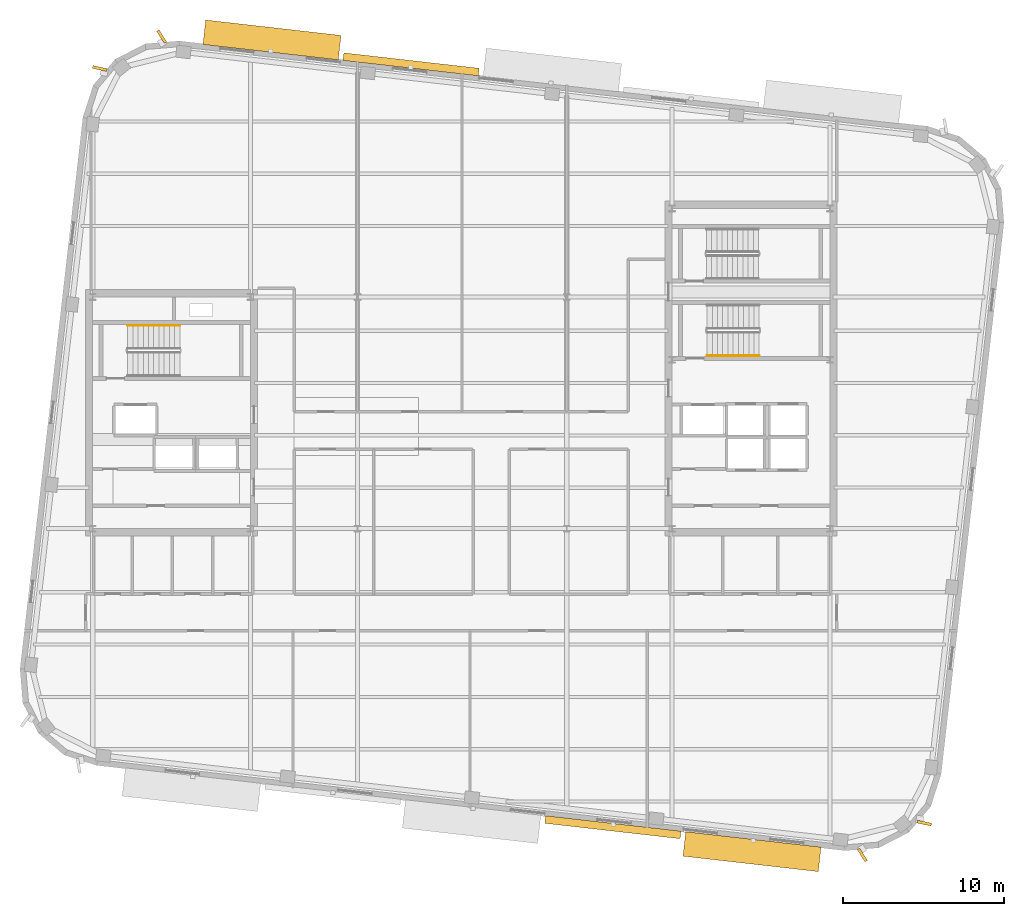
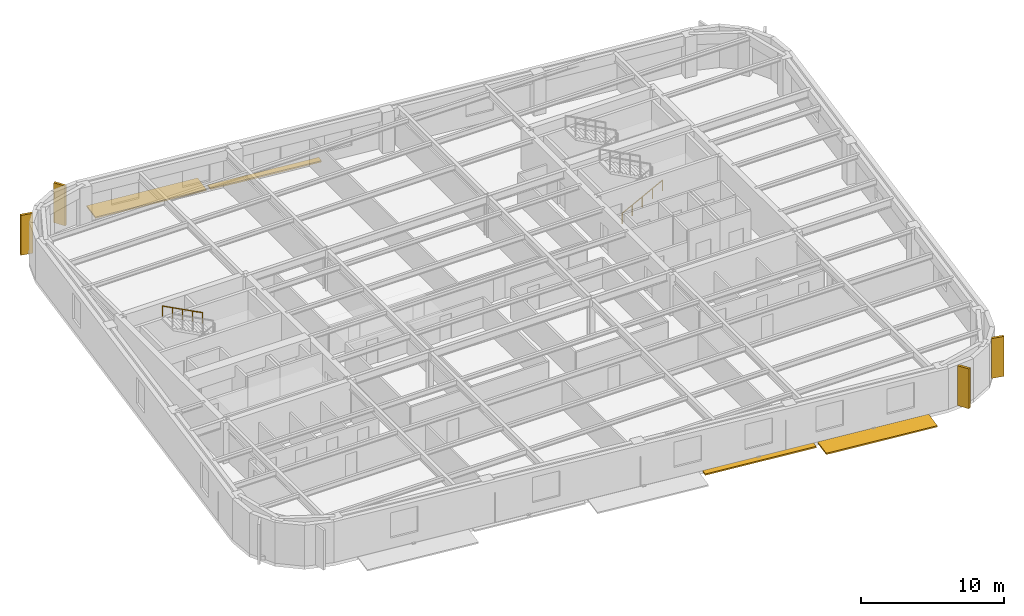
# One storey, part 12 of 14: 8 shading devices, 2 railings.
"""IFC4 building model written with IfcOpenShell, lengths in metres."""

from ifc_helpers import new_model, si_unit, direction, frame, origin, origin_2d, place, context, subcontext, project, spatial, rectangle, circle, extrude, material, type_object, element, save


model = new_model("IFC4")

# Units and contexts
model_context = context("Model", 3, precision=1e-05, world=origin(), true_north=direction((0.0, 1.0)))
body_context = subcontext(model_context, "Body", "Model", "MODEL_VIEW")
ifc_project = project(units=[si_unit("LENGTHUNIT", "METRE"), si_unit("AREAUNIT", "SQUARE_METRE"), si_unit("VOLUMEUNIT", "CUBIC_METRE"), si_unit("PLANEANGLEUNIT", "RADIAN"), si_unit("MASSUNIT", "GRAM", prefix="KILO")], contexts=[model_context])

# Site, building, storey
site_placement = place(None, origin())
site = spatial("IfcSite", under=ifc_project, at=site_placement, CompositionType="ELEMENT")
building_placement = place(site_placement, origin())
building = spatial("IfcBuilding", under=site, at=building_placement, Name="Kolvaren Arena Tower", CompositionType="ELEMENT")
storey_placement = place(building_placement, frame((0.0, 0.0, 224.699951171875)))
storey = spatial("IfcBuildingStorey", under=building, at=storey_placement, Name="L54", CompositionType="ELEMENT", Elevation=224.699951171875)

# Railings
ifc_material_1 = material(Name="Brushed stainless steel handrail", Category="steel")
railing_type = type_object("IfcRailingType", Name="HRAIL-900", PredefinedType="HANDRAIL", material=ifc_material_1)
railing_1_placement = place(storey_placement, frame((19.9599609375, 32.080078125, 2.04541015625)))
element("IfcRailing", 1, at=railing_1_placement, inside=storey, type_object=railing_type, Name="L54 ST-W1 stair handrail 2", PredefinedType="HANDRAIL", context=body_context, shape_type="SweptSolid", body=[
    extrude(circle(Radius=0.02392578125, at=origin_2d()), frame((0.0, 0.0, 0.8759765625), z_axis=(-0.884993431791, 0.0, 0.465603506952), x_axis=(0.0, -1.0, 0.0)), (0.0, 0.0, 1.0), 3.6611328125),
    extrude(circle(Radius=0.02099609375, at=origin_2d()), origin(), (0.0, 0.0, 1.0), 0.851806640625),
    extrude(circle(Radius=0.02099609375, at=origin_2d()), frame((-0.81005859375, 0.0, 0.42626953125)), (0.0, 0.0, 1.0), 0.851806640625),
    extrude(circle(Radius=0.02099609375, at=origin_2d()), frame((-1.6201171875, 0.0, 0.852294921875)), (0.0, 0.0, 1.0), 0.851806640625),
    extrude(circle(Radius=0.02099609375, at=origin_2d()), frame((-2.429931640625, 0.0, 1.2783203125)), (0.0, 0.0, 1.0), 0.851806640625),
    extrude(circle(Radius=0.02099609375, at=origin_2d()), frame((-3.239990234375, 0.0, 1.70458984375)), (0.0, 0.0, 1.0), 0.851806640625),
])
railing_2_placement = place(storey_placement, frame((52.719970703125, 30.199951171875, 0.17041015625)))
element("IfcRailing", 2, at=railing_2_placement, inside=storey, type_object=railing_type, Name="L54 ST-E1 stair handrail 1", PredefinedType="HANDRAIL", context=body_context, shape_type="SweptSolid", body=[
    extrude(circle(Radius=0.02392578125, at=origin_2d()), frame((0.0, 0.0, 0.8759765625), z_axis=(0.884993431791, 0.0, 0.465603506952), x_axis=(0.0, 1.0, 0.0)), (0.0, 0.0, 1.0), 3.6611328125),
    extrude(circle(Radius=0.02099609375, at=origin_2d()), origin(), (0.0, 0.0, 1.0), 0.851806640625),
    extrude(circle(Radius=0.02099609375, at=origin_2d()), frame((0.81005859375, 0.0, 0.42626953125)), (0.0, 0.0, 1.0), 0.851806640625),
    extrude(circle(Radius=0.02099609375, at=origin_2d()), frame((1.6201171875, 0.0, 0.852294921875)), (0.0, 0.0, 1.0), 0.851806640625),
    extrude(circle(Radius=0.02099609375, at=origin_2d()), frame((2.429931640625, 0.0, 1.2783203125)), (0.0, 0.0, 1.0), 0.851806640625),
    extrude(circle(Radius=0.02099609375, at=origin_2d()), frame((3.239990234375, 0.0, 1.70458984375)), (0.0, 0.0, 1.0), 0.851806640625),
])

# Shading devices
ifc_material_2 = material(Name="Precast architectural concrete C50/60 rib fin", Category="concrete")
shading_device_type_1 = type_object("IfcShadingDeviceType", Name="SHAD-FIN-28", PredefinedType="USERDEFINED", material=ifc_material_2)
for number, where, z_axis, x_axis, name in (
    (3, (62.365234375, -0.824951171875, 0.02001953125), (0.0, 0.0, 1.0), (0.540981810797, -0.84103429204, 0.0), "Precast 28-Deg Corner Rib Fin (L54)"),
    (4, (66.2138671875, 1.1572265625, 0.02001953125), (0.0, 0.0, 1.0), (0.977234439221, -0.21216232182, 0.0), "Precast 28-Deg Corner Rib Fin (L54)"),
    (5, (18.834716796875, 50.02490234375, 0.02001953125), (0.0, 0.0, 1.0), (-0.540981810797, 0.84103429204, 0.0), "Precast 28-Deg Corner Rib Fin (L54)"),
    (6, (14.986083984375, 48.042724609375, 0.02001953125), (0.0, 0.0, 1.0), (-0.977234439221, 0.21216232182, 0.0), "Precast 28-Deg Corner Rib Fin (L54)"),
):
    element("IfcShadingDevice", number, at=place(storey_placement, frame(where, z_axis=z_axis, x_axis=x_axis)), inside=storey, type_object=shading_device_type_1, Name=name, ObjectType="FIN", PredefinedType="USERDEFINED", context=body_context, shape_type="SweptSolid", body=[
        extrude(rectangle(XDim=0.89990234375, YDim=0.179931640625, at=origin_2d()), origin(), (0.0, 0.0, 1.0), 3.39990234375),
    ])
ifc_material_3 = material(Name="Architectural precast GFRC and anodised aluminium sunshade", Category="concrete")
shading_device_type_2 = type_object("IfcShadingDeviceType", Name="SHAD-SINE-A", PredefinedType="USERDEFINED", material=ifc_material_3)
for number, where, z_axis, x_axis, name in (
    (7, (34.33251953125, 48.298828125, -0.139892578125), (0.0, 0.0, 1.0), (0.993571658098, -0.113204947878, 0.0), "Sinusoidal Slab-Edge Sunshade Louvre (L54)"),
    (8, (46.867431640625, 0.901123046875, -0.139892578125), (0.0, 0.0, 1.0), (-0.993571658098, 0.113204947878, 0.0), "Sinusoidal Slab-Edge Sunshade Louvre (L54)"),
):
    element("IfcShadingDevice", number, at=place(storey_placement, frame(where, z_axis=z_axis, x_axis=x_axis)), inside=storey, type_object=shading_device_type_2, Name=name, ObjectType="LOUVRE", PredefinedType="USERDEFINED", context=body_context, shape_type="SweptSolid", body=[
        extrude(rectangle(XDim=8.4599609375, YDim=0.473876953125, at=origin_2d()), origin(), (0.0, 0.0, 1.0), 0.1201171875),
    ])
shading_device_type_3 = type_object("IfcShadingDeviceType", Name="SHAD-SINE-B", PredefinedType="JALOUSIE", material=ifc_material_3)
for number, where, z_axis, x_axis, name in (
    (9, (25.688720703125, 49.8154296875, -0.139892578125), (0.0, 0.0, 1.0), (0.993571658098, -0.113204947878, 0.0), "Sinusoidal Slab-Edge Sunshade Louvre (L54)"),
    (10, (55.511474609375, -0.615478515625, -0.139892578125), (0.0, 0.0, 1.0), (-0.993571658098, 0.113204947878, 0.0), "Sinusoidal Slab-Edge Sunshade Louvre (L54)"),
):
    element("IfcShadingDevice", number, at=place(storey_placement, frame(where, z_axis=z_axis, x_axis=x_axis)), inside=storey, type_object=shading_device_type_3, Name=name, PredefinedType="JALOUSIE", context=body_context, shape_type="SweptSolid", body=[
        extrude(rectangle(XDim=8.4599609375, YDim=1.530517578125, at=origin_2d()), origin(), (0.0, 0.0, 1.0), 0.1201171875),
    ])

save(model, "model.ifc")
